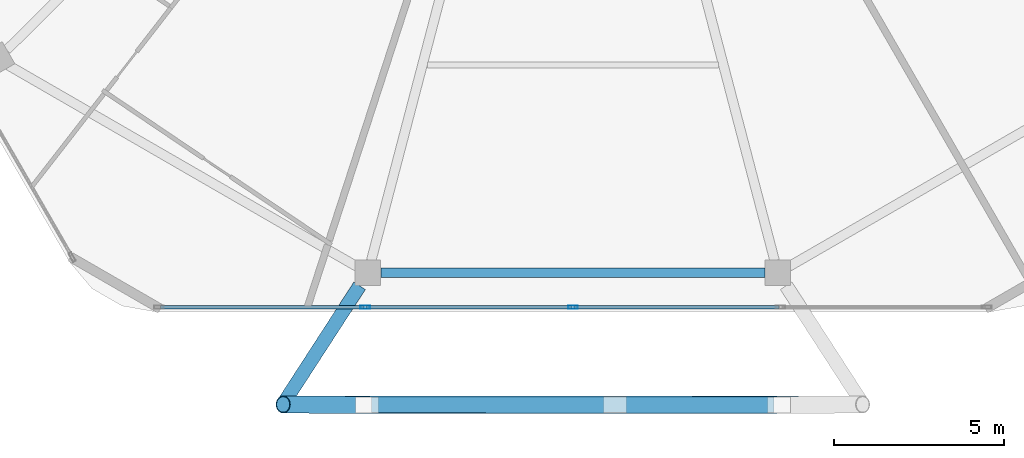
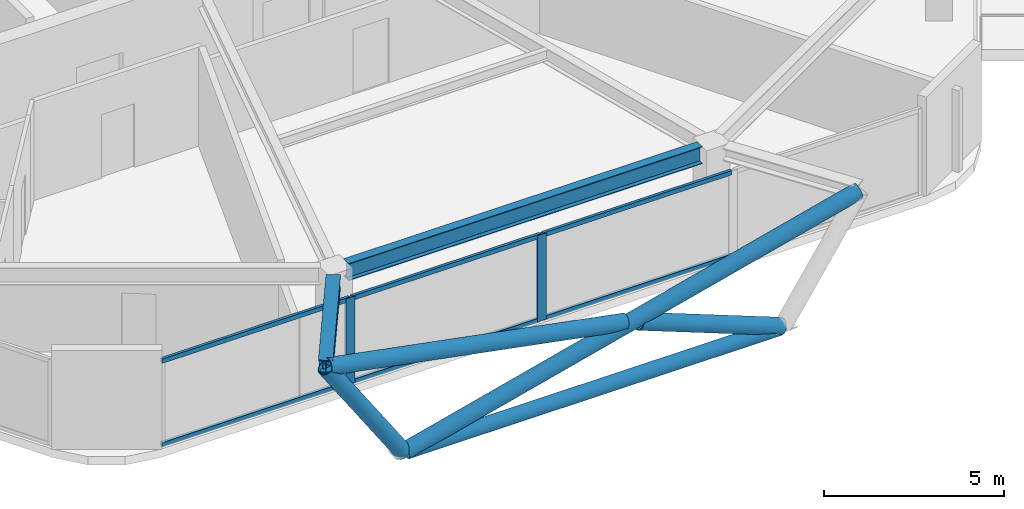
# One storey, part 4 of 23: 13 members, 2 beams, 1 element without a shape of its own.
"""IFC4 building model written with IfcOpenShell, lengths in metres."""

from ifc_helpers import new_model, si_unit, direction, frame, origin, origin_2d, place, context, subcontext, project, spatial, hollow_rectangle, hollow_circle, i_section, extrude, material, material_profile, profile_set, type_object, element, aggregate, save


model = new_model("IFC4")

# Units and contexts
model_context = context("Model", 3, precision=1e-05, world=origin(), true_north=direction((0.0, 1.0)))
body_context = subcontext(model_context, "Body", "Model", "MODEL_VIEW")
ifc_project = project(units=[si_unit("LENGTHUNIT", "METRE"), si_unit("AREAUNIT", "SQUARE_METRE"), si_unit("VOLUMEUNIT", "CUBIC_METRE"), si_unit("PLANEANGLEUNIT", "RADIAN"), si_unit("MASSUNIT", "GRAM", prefix="KILO")], contexts=[model_context])

# Site, building, storey
site_placement = place(None, origin())
site = spatial("IfcSite", under=ifc_project, at=site_placement, CompositionType="ELEMENT")
building_placement = place(site_placement, origin())
building = spatial("IfcBuilding", under=site, at=building_placement, Name="Zuhravey Tower", CompositionType="ELEMENT")
storey_placement = place(building_placement, frame((0.0, 0.0, 353.800048828125)))
storey = spatial("IfcBuildingStorey", under=building, at=storey_placement, Name="L90", CompositionType="ELEMENT", Elevation=353.800048828125)

# Curtain wall, members
ifc_material_1 = material(Name="Thermally broken anodised aluminium", Category="aluminium")
curtain_wall_type = type_object("IfcCurtainWallType", Name="Zone 3-4 High-Rise Curtain Wall CW4", PredefinedType="NOTDEFINED", material=ifc_material_1)
curtain_wall_placement = place(storey_placement, origin())
curtain_wall = element("IfcCurtainWall", 1, at=curtain_wall_placement, inside=storey, type_object=curtain_wall_type, Name="L90 CW4 CW-L90-F5-1", PredefinedType="NOTDEFINED")
ifc_material_2 = material(Name="Anodised aluminium", Category="aluminium")
ifc_material_profile_1 = material_profile(ifc_material_2, hollow_rectangle(XDim=0.090087890625, YDim=0.284912109375, WallThickness=0.0048828125, at=origin_2d()), Name="ALU-RHS-90x285x5")
ifc_profile_set_1 = profile_set([ifc_material_profile_1], Name="Anodised aluminium")
member_type_1 = type_object("IfcMemberType", Name="Curtain-Wall Mullion 90x180", PredefinedType="MULLION", material=ifc_profile_set_1)
member_1_placement = place(storey_placement, frame((36.0, 7.92578125, 0.0), z_axis=(0.0, 0.0, 1.0), x_axis=(0.0, -1.0, 0.0)))
member_1 = element("IfcMember", 2, at=member_1_placement, type_object=member_type_1, Name="CW4 mullion 3", PredefinedType="MULLION", context=body_context, shape_type="SweptSolid", body=[
    extrude(hollow_rectangle(XDim=0.090087890625, YDim=0.284912109375, WallThickness=0.0048828125, at=origin_2d()), origin(), (0.0, 0.0, 1.0), 2.921875),
])
member_2_placement = place(storey_placement, frame((29.88037109375, 7.92578125, 0.0), z_axis=(0.0, 0.0, 1.0), x_axis=(0.0, -1.0, 0.0)))
member_2 = element("IfcMember", 3, at=member_2_placement, type_object=member_type_1, Name="CW4 mullion 4", PredefinedType="MULLION", context=body_context, shape_type="SweptSolid", body=[
    extrude(hollow_rectangle(XDim=0.090087890625, YDim=0.284912109375, WallThickness=0.0048828125, at=origin_2d()), origin(), (0.0, 0.0, 1.0), 2.921875),
])
ifc_material_profile_2 = material_profile(ifc_material_2, hollow_rectangle(XDim=0.090087890625, YDim=0.14990234375, WallThickness=0.0048828125, at=origin_2d()), Name="ALU-RHS-90x150x5")
ifc_profile_set_2 = profile_set([ifc_material_profile_2], Name="Anodised aluminium")
member_type_2 = type_object("IfcMemberType", Name="Curtain-Wall Transom 90x150", PredefinedType="USERDEFINED", material=ifc_profile_set_2)
member_3_placement = place(storey_placement, frame((42.07470703125, 7.92578125, 0.044921875), z_axis=(-1.0, 0.0, 0.0), x_axis=(0.0, -1.0, 0.0)))
member_3 = element("IfcMember", 4, at=member_3_placement, type_object=member_type_2, Name="CW4 transom 2.1", ObjectType="TRANSOM", PredefinedType="USERDEFINED", context=body_context, shape_type="SweptSolid", body=[
    extrude(hollow_rectangle(XDim=0.090087890625, YDim=0.14990234375, WallThickness=0.0048828125, at=origin_2d()), origin(), (0.0, 0.0, 1.0), 6.02978515625),
])
member_4_placement = place(storey_placement, frame((42.07470703125, 7.92578125, 2.876953125), z_axis=(-1.0, 0.0, 0.0), x_axis=(0.0, -1.0, 0.0)))
member_4 = element("IfcMember", 5, at=member_4_placement, type_object=member_type_2, Name="CW4 transom 2.2", ObjectType="TRANSOM", PredefinedType="USERDEFINED", context=body_context, shape_type="SweptSolid", body=[
    extrude(hollow_rectangle(XDim=0.090087890625, YDim=0.14990234375, WallThickness=0.0048828125, at=origin_2d()), origin(), (0.0, 0.0, 1.0), 6.02978515625),
])
member_5_placement = place(storey_placement, frame((35.955078125, 7.92578125, 0.044921875), z_axis=(-1.0, 0.0, 0.0), x_axis=(0.0, -1.0, 0.0)))
member_5 = element("IfcMember", 6, at=member_5_placement, type_object=member_type_2, Name="CW4 transom 3.1", ObjectType="TRANSOM", PredefinedType="USERDEFINED", context=body_context, shape_type="SweptSolid", body=[
    extrude(hollow_rectangle(XDim=0.090087890625, YDim=0.14990234375, WallThickness=0.0048828125, at=origin_2d()), origin(), (0.0, 0.0, 1.0), 6.02978515625),
])
member_6_placement = place(storey_placement, frame((35.955078125, 7.92578125, 2.876953125), z_axis=(-1.0, 0.0, 0.0), x_axis=(0.0, -1.0, 0.0)))
member_6 = element("IfcMember", 7, at=member_6_placement, type_object=member_type_2, Name="CW4 transom 3.2", ObjectType="TRANSOM", PredefinedType="USERDEFINED", context=body_context, shape_type="SweptSolid", body=[
    extrude(hollow_rectangle(XDim=0.090087890625, YDim=0.14990234375, WallThickness=0.0048828125, at=origin_2d()), origin(), (0.0, 0.0, 1.0), 6.02978515625),
])
member_7_placement = place(storey_placement, frame((29.83544921875, 7.92578125, 0.044921875), z_axis=(-1.0, 0.0, 0.0), x_axis=(0.0, -1.0, 0.0)))
member_7 = element("IfcMember", 8, at=member_7_placement, type_object=member_type_2, Name="CW4 transom 4.1", ObjectType="TRANSOM", PredefinedType="USERDEFINED", context=body_context, shape_type="SweptSolid", body=[
    extrude(hollow_rectangle(XDim=0.090087890625, YDim=0.14990234375, WallThickness=0.0048828125, at=origin_2d()), origin(), (0.0, 0.0, 1.0), 5.98486328125),
])
member_8_placement = place(storey_placement, frame((29.83544921875, 7.92578125, 2.876953125), z_axis=(-1.0, 0.0, 0.0), x_axis=(0.0, -1.0, 0.0)))
member_8 = element("IfcMember", 9, at=member_8_placement, type_object=member_type_2, Name="CW4 transom 4.2", ObjectType="TRANSOM", PredefinedType="USERDEFINED", context=body_context, shape_type="SweptSolid", body=[
    extrude(hollow_rectangle(XDim=0.090087890625, YDim=0.14990234375, WallThickness=0.0048828125, at=origin_2d()), origin(), (0.0, 0.0, 1.0), 5.98486328125),
])
aggregate(curtain_wall, [member_1, member_2, member_3, member_4, member_5, member_6, member_7, member_8])

# Beam
ifc_material_3 = material(Name="Steel SM460", Category="steel")
ifc_material_profile_3 = material_profile(ifc_material_3, i_section(OverallWidth=0.406982421875, OverallDepth=0.427978515625, WebThickness=0.02001953125, FlangeThickness=0.034912109375, at=origin_2d()), Name="H-428x407x20x35")
ifc_profile_set_3 = profile_set([ifc_material_profile_3], Name="Steel SM460")
beam_type_1 = type_object("IfcBeamType", Name="Exoskeleton Node Tie Beam H428x407", PredefinedType="BEAM", material=ifc_profile_set_3)
beam_1_placement = place(storey_placement, frame((29.716064453125, 8.5576171875, 3.135986328125), z_axis=(-0.543741302353, -0.839252879718, 0.0), x_axis=(0.839252879718, -0.543741302353, 0.0)))
element("IfcBeam", 10, at=beam_1_placement, inside=storey, type_object=beam_type_1, Name="L90 Exoskeleton Node Tie NT1-09", PredefinedType="BEAM", context=body_context, shape_type="SweptSolid", body=[
    extrude(i_section(OverallWidth=0.406982421875, OverallDepth=0.427978515625, WebThickness=0.02001953125, FlangeThickness=0.034912109375, at=origin_2d()), origin(), (0.0, 0.0, 1.0), 4.1513671875),
])

# Members
ifc_material_4 = material(Name="Steel SM355", Category="steel")
ifc_material_profile_4 = material_profile(ifc_material_4, hollow_circle(Radius=0.228515625, WallThickness=0.02197265625, at=origin_2d()), Name="CHS-457.2x22")
ifc_profile_set_4 = profile_set([ifc_material_profile_4], Name="Steel SM355")
member_type_3 = type_object("IfcMemberType", Name="Exoskeleton Ring Tie CHS457x22", PredefinedType="CHORD", material=ifc_profile_set_4)
member_9_placement = place(storey_placement, frame((30.072509765625, 5.0458984375, -0.59912109375), z_axis=(1.0, 0.0, 0.0), x_axis=(0.0, 1.0, 0.0)))
element("IfcMember", 11, at=member_9_placement, inside=storey, type_object=member_type_3, Name="L90 Exoskeleton Face 5 Tie EXR1", PredefinedType="CHORD", context=body_context, shape_type="SweptSolid", body=[
    extrude(hollow_circle(Radius=0.228515625, WallThickness=0.02197265625, at=origin_2d()), origin(), (0.0, 0.0, 1.0), 11.85498046875),
])
ifc_material_profile_5 = material_profile(ifc_material_4, hollow_circle(Radius=0.25390625, WallThickness=0.02490234375, at=origin_2d()), Name="CHS-508.0x25")
ifc_profile_set_5 = profile_set([ifc_material_profile_5], Name="Steel SM355")
member_type_4 = type_object("IfcMemberType", Name="Exoskeleton Zone 4 Diagrid CHS508x25", PredefinedType="BRACE", material=ifc_profile_set_5)
member_10_placement = place(storey_placement, frame((29.921875, 5.0458984375, -0.5830078125), z_axis=(-0.553467274431, 0.00334968784, 0.832864188044), x_axis=(-0.006052076877, -0.999981686015, 0.0)))
element("IfcMember", 12, at=member_10_placement, inside=storey, type_object=member_type_4, Name="L90 Face 5 Diagrid Brace 1", PredefinedType="BRACE", context=body_context, shape_type="SweptSolid", body=[
    extrude(hollow_circle(Radius=0.25390625, WallThickness=0.02490234375, at=origin_2d()), origin(), (0.0, 0.0, 1.0), 4.446044921875),
])
member_11_placement = place(storey_placement, frame((29.984375, 5.0458984375, -0.5859375), z_axis=(0.968866260127, 0.000994177029, 0.247582676293), x_axis=(-0.00102612357, 0.999999473535, 0.0)))
element("IfcMember", 13, at=member_11_placement, inside=storey, type_object=member_type_4, Name="L90 Face 5 Diagrid Brace 2", PredefinedType="BRACE", context=body_context, shape_type="SweptSolid", body=[
    extrude(hollow_circle(Radius=0.25390625, WallThickness=0.02490234375, at=origin_2d()), origin(), (0.0, 0.0, 1.0), 14.979736328125),
])
member_12_placement = place(storey_placement, frame((42.017578125, 5.0458984375, -0.579833984375), z_axis=(-0.932607334444, 0.001451567878, 0.360889806856), x_axis=(-0.001556460116, -0.999998788715, 0.0)))
element("IfcMember", 14, at=member_12_placement, inside=storey, type_object=member_type_4, Name="L90 Face 5 Split Diagrid Brace 3A", PredefinedType="BRACE", context=body_context, shape_type="SweptSolid", body=[
    extrude(hollow_circle(Radius=0.25390625, WallThickness=0.02490234375, at=origin_2d()), origin(), (0.0, 0.0, 1.0), 4.87744140625),
])
member_13_placement = place(storey_placement, frame((37.00146484375, 5.053466796875, 1.314208984375), z_axis=(-0.982290298158, 0.000757433531, 0.187363807707), x_axis=(-0.000771089063, -0.999999702711, 0.0)))
element("IfcMember", 15, at=member_13_placement, inside=storey, type_object=member_type_4, Name="L90 Face 5 Split Diagrid Brace 3B", PredefinedType="BRACE", context=body_context, shape_type="SweptSolid", body=[
    extrude(hollow_circle(Radius=0.25390625, WallThickness=0.02490234375, at=origin_2d()), origin(), (0.0, 0.0, 1.0), 9.669677734375),
])

# Beam
ifc_material_profile_6 = material_profile(ifc_material_4, i_section(OverallWidth=0.280029296875, OverallDepth=0.580078125, WebThickness=0.011962890625, FlangeThickness=0.01904296875, at=origin_2d()), Name="H-580x280x12x19")
ifc_profile_set_6 = profile_set([ifc_material_profile_6], Name="Steel SM355")
beam_type_2 = type_object("IfcBeamType", Name="Perimeter Ring Beam H580x280", PredefinedType="BEAM", material=ifc_profile_set_6)
beam_2_placement = place(storey_placement, frame((30.33935546875, 8.935791015625, 3.06005859375), z_axis=(1.0, 0.0, 0.0), x_axis=(0.0, 1.0, 0.0)))
element("IfcBeam", 16, at=beam_2_placement, inside=storey, type_object=beam_type_2, Name="L90 PB4 BM-L90-PB-09", PredefinedType="BEAM", context=body_context, shape_type="SweptSolid", body=[
    extrude(i_section(OverallWidth=0.280029296875, OverallDepth=0.580078125, WebThickness=0.011962890625, FlangeThickness=0.01904296875, at=origin_2d()), origin(), (0.0, 0.0, 1.0), 11.3212890625),
])

save(model, "model.ifc")
